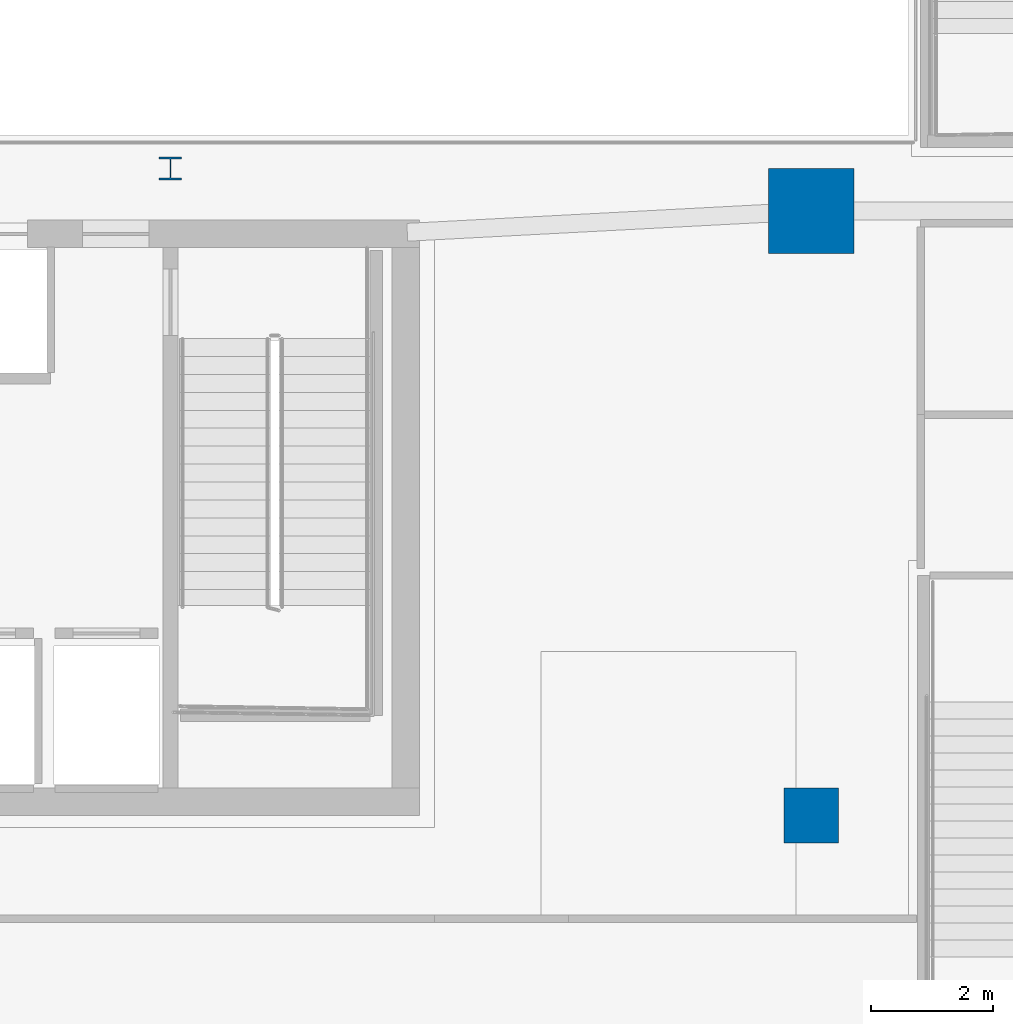
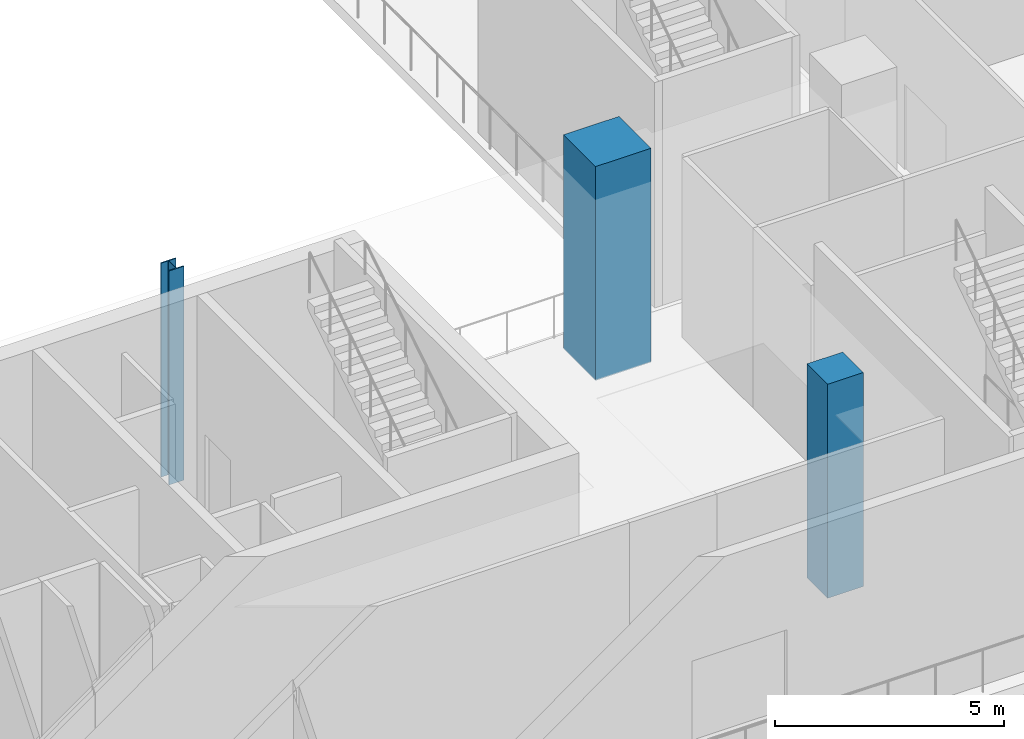
# One storey, part 2 of 29: 3 columns.
"""IFC4 building model written with IfcOpenShell, lengths in metres."""

from ifc_helpers import new_model, si_unit, direction, frame, origin, origin_2d, place, context, subcontext, project, spatial, rectangle, i_section, extrude, material, material_profile, profile_set, type_object, element, save


model = new_model("IFC4")

# Units and contexts
model_context = context("Model", 3, precision=1e-05, world=origin(), true_north=direction((0.0, 1.0)))
body_context = subcontext(model_context, "Body", "Model", "MODEL_VIEW")
ifc_project = project(units=[si_unit("LENGTHUNIT", "METRE"), si_unit("AREAUNIT", "SQUARE_METRE"), si_unit("VOLUMEUNIT", "CUBIC_METRE"), si_unit("PLANEANGLEUNIT", "RADIAN"), si_unit("MASSUNIT", "GRAM", prefix="KILO")], contexts=[model_context])

# Site, building, storey
site_placement = place(None, origin())
site = spatial("IfcSite", under=ifc_project, at=site_placement, CompositionType="ELEMENT")
building_placement = place(site_placement, origin())
building = spatial("IfcBuilding", under=site, at=building_placement, Name="Ndaravel Arena Tower", CompositionType="ELEMENT")
storey_placement = place(building_placement, frame((0.0, 0.0, 12.0)))
storey = spatial("IfcBuildingStorey", under=building, at=storey_placement, Name="L02", CompositionType="ELEMENT", Elevation=12.0)

# Columns
ifc_material_1 = material(Name="Concrete C40/50", Category="concrete")
ifc_material_profile_1 = material_profile(ifc_material_1, rectangle(XDim=0.89990234375, YDim=0.89990234375, at=origin_2d()), Name="RC 900x900")
ifc_profile_set_1 = profile_set([ifc_material_profile_1], Name="Concrete C40/50")
column_type_1 = type_object("IfcColumnType", Name="COL-BSMT-RC900", PredefinedType="COLUMN", material=ifc_profile_set_1)
column_1_placement = place(storey_placement, frame((64.0, 5.39990234375, 0.0), z_axis=(0.0, 0.0, 1.0), x_axis=(1.0, 0.0, 0.0)))
element("IfcColumn", 1, at=column_1_placement, inside=storey, type_object=column_type_1, Name="L02 South Concourse Column 02", PredefinedType="COLUMN", context=body_context, shape_type="SweptSolid", body=[
    extrude(rectangle(XDim=0.89990234375, YDim=0.89990234375, at=origin_2d()), origin(), (0.0, 0.0, 1.0), 5.699951171875),
])
ifc_material_2 = material(Name="Steel S355", Category="steel")
ifc_material_profile_2 = material_profile(ifc_material_2, i_section(OverallWidth=0.374755859375, OverallDepth=0.37451171875, WebThickness=0.0166015625, FlangeThickness=0.027099609375, FilletRadius=0.01513671875, at=origin_2d()), Name="UC 356x368x202")
ifc_profile_set_2 = profile_set([ifc_material_profile_2], Name="Steel S355")
column_type_2 = type_object("IfcColumnType", Name="COL-CRN-UC202", PredefinedType="COLUMN", material=ifc_profile_set_2)
column_2_placement = place(storey_placement, frame((53.449951171875, 16.050048828125, 0.0), z_axis=(0.0, 0.0, 1.0), x_axis=(1.0, 0.0, 0.0)))
element("IfcColumn", 2, at=column_2_placement, inside=storey, type_object=column_type_2, Name="L02 South Stand Raker Column 4", PredefinedType="COLUMN", context=body_context, shape_type="SweptSolid", body=[
    extrude(i_section(OverallWidth=0.374755859375, OverallDepth=0.37451171875, WebThickness=0.0166015625, FlangeThickness=0.027099609375, FilletRadius=0.01513671875, at=origin_2d()), origin(), (0.0, 0.0, 1.0), 5.699951171875),
])
ifc_material_3 = material(Name="Concrete C60/75", Category="concrete")
ifc_material_profile_3 = material_profile(ifc_material_3, rectangle(XDim=1.39990234375, YDim=1.39990234375, at=origin_2d()), Name="RC 1400x1400")
ifc_profile_set_3 = profile_set([ifc_material_profile_3], Name="Concrete C60/75")
column_type_3 = type_object("IfcColumnType", Name="COL-MEGA-RC1400", PredefinedType="COLUMN", material=ifc_profile_set_3)
column_3_placement = place(storey_placement, frame((64.0, 15.35009765625, 0.0), z_axis=(0.0, 0.0, 1.0), x_axis=(1.0, 0.0, 0.0)))
element("IfcColumn", 3, at=column_3_placement, inside=storey, type_object=column_type_3, Name="L02 Arena Ring Mega Column 12", PredefinedType="COLUMN", context=body_context, shape_type="SweptSolid", body=[
    extrude(rectangle(XDim=1.39990234375, YDim=1.39990234375, at=origin_2d()), origin(), (0.0, 0.0, 1.0), 5.699951171875),
])

save(model, "model.ifc")
